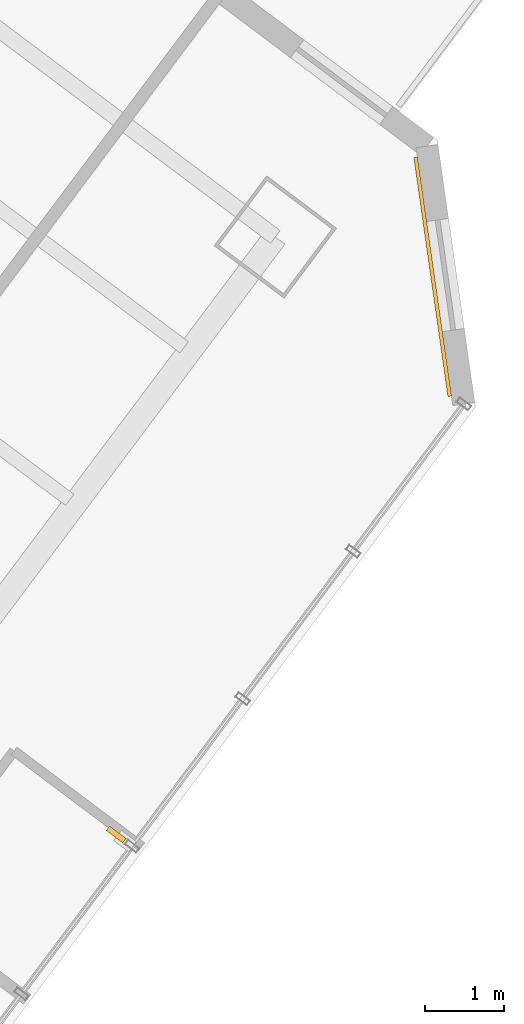
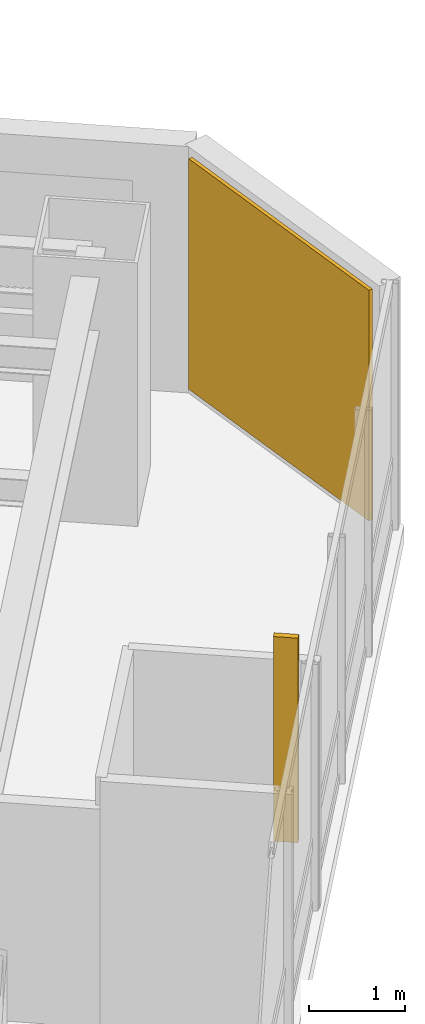
# One storey, part 38 of 38: 1 covering, 1 shading device.
"""IFC4 building model written with IfcOpenShell, lengths in metres."""

import ifcopenshell
import ifcopenshell.guid

model = None  # the IFC model being written
_history = None  # IfcOwnerHistory: only IFC2X3 demands one
_inside = {}  # id of a spatial element -> (the spatial element, [elements in it])
_under = {}  # id of a project, library or spatial element -> (it, [spatial elements below it])
_declared = {}  # id of a project -> (the project, [libraries it declares])
_typed = {}  # id of a type object -> (the type object, [elements of that type])
_made_of = {}  # id of a material, layer set ... -> (it, [elements and type objects made of it])


def new_model(schema):
    """Start an empty IFC model of exactly this schema.

    Asked for "IFC4X3", IfcOpenShell would pick the latest addendum, in which some entities
    have other attributes; the version numbers below select the first issue.
    IFC2X3 requires an IfcOwnerHistory on every rooted entity: one is made here for all.
    """
    global model, _history
    if schema == "IFC4X3":
        model = ifcopenshell.file(schema_version=(4, 3, 0, 0))
    else:
        model = ifcopenshell.file(schema=schema)
    _inside.clear()
    _under.clear()
    _declared.clear()
    _typed.clear()
    _made_of.clear()
    _history = None
    if model.schema == "IFC2X3":
        org = make("IfcOrganization", Name="unknown")
        user = make(
            "IfcPersonAndOrganization",
            ThePerson=make("IfcPerson", FamilyName="unknown"),
            TheOrganization=org,
        )
        app = make(
            "IfcApplication",
            ApplicationDeveloper=org,
            Version="unknown",
            ApplicationFullName="unknown",
            ApplicationIdentifier="unknown",
        )
        _history = make(
            "IfcOwnerHistory",
            OwningUser=user,
            OwningApplication=app,
            ChangeAction="ADDED",
            CreationDate=0,
        )
    return model


def make(cls, **values):
    """One entity of the class cls with the attributes given. An attribute that is None is left unset."""
    return model.create_entity(
        cls, **{name: value for name, value in values.items() if value is not None}
    )


def rooted(cls, **values):
    """An entity with a GlobalId (a new one), such as an element, a storey or a relation."""
    return make(cls, GlobalId=ifcopenshell.guid.new(), OwnerHistory=_history, **values)


def si_unit(unit_type, name, prefix=None):
    """IfcSIUnit, for example si_unit("LENGTHUNIT", "METRE", prefix="MILLI")."""
    return make("IfcSIUnit", UnitType=unit_type, Prefix=prefix, Name=name)


def assignment(units):
    """IfcUnitAssignment: the units of a project."""
    return None if units is None else make("IfcUnitAssignment", Units=units)


def point(xyz):
    """IfcCartesianPoint."""
    return None if xyz is None else make("IfcCartesianPoint", Coordinates=xyz)


def direction(xyz):
    """IfcDirection."""
    return None if xyz is None else make("IfcDirection", DirectionRatios=xyz)


def frame(location, z_axis=None, x_axis=None):
    """IfcAxis2Placement3D, a coordinate frame: its origin and axes. An axis left out is left unset."""
    return make(
        "IfcAxis2Placement3D",
        Location=point(location),
        Axis=direction(z_axis),
        RefDirection=direction(x_axis),
    )


def frame_2d(location, x_axis=None):
    """IfcAxis2Placement2D, a coordinate frame in the plane: its origin and x axis."""
    return make(
        "IfcAxis2Placement2D", Location=point(location), RefDirection=direction(x_axis)
    )


def origin():
    """The frame at (0, 0, 0) with its axes left unset."""
    return frame((0.0, 0.0, 0.0))


def origin_2d():
    """The frame at (0, 0) in the plane with its x axis left unset."""
    return frame_2d((0.0, 0.0))


def place(relative_to, where):
    """IfcLocalPlacement: puts the frame where relative to a parent placement (None: the world)."""
    return make(
        "IfcLocalPlacement", PlacementRelTo=relative_to, RelativePlacement=where
    )


def context(
    kind, dimensions, precision=None, world=None, true_north=None, identifier=None
):
    """IfcGeometricRepresentationContext, for example the 3D "Model" context."""
    return make(
        "IfcGeometricRepresentationContext",
        ContextIdentifier=identifier,
        ContextType=kind,
        CoordinateSpaceDimension=dimensions,
        Precision=precision,
        WorldCoordinateSystem=world,
        TrueNorth=true_north,
    )


def subcontext(parent, identifier, kind, view, scale=None):
    """IfcGeometricRepresentationSubContext, for example "Body" below "Model"."""
    return make(
        "IfcGeometricRepresentationSubContext",
        ContextIdentifier=identifier,
        ContextType=kind,
        ParentContext=parent,
        TargetScale=scale,
        TargetView=view,
    )


def project(units=None, contexts=None):
    """IfcProject with its units and contexts."""
    return rooted(
        "IfcProject",
        Name="project",
        RepresentationContexts=contexts,
        UnitsInContext=assignment(units),
    )


def spatial(cls, under=None, at=None, **own):
    """A site, building, storey or space (cls), placed at a placement, below another one or the project."""
    s = rooted(cls, ObjectPlacement=at, **own)
    if under is not None:
        _under.setdefault(under.id(), (under, []))[1].append(s)
    return s


def profile(cls, at=None, kind="AREA", **sizes):
    """A parametric profile (cls). Its sizes go by their IFC names, for example OverallWidth=200.0."""
    return make(cls, ProfileType=kind, Position=at, **sizes)


def rectangle(**sizes):
    """IfcRectangleProfileDef."""
    return profile("IfcRectangleProfileDef", **sizes)


def extrude(swept, where, along, depth):
    """IfcExtrudedAreaSolid: the profile swept, set in the frame where, extruded along a direction by depth."""
    return make(
        "IfcExtrudedAreaSolid",
        SweptArea=swept,
        Position=where,
        ExtrudedDirection=direction(along),
        Depth=depth,
    )


def shape(context_of_items, identifier, shape_type, items):
    """IfcShapeRepresentation: the items that make up one representation, for example the "Body"."""
    return make(
        "IfcShapeRepresentation",
        ContextOfItems=context_of_items,
        RepresentationIdentifier=identifier,
        RepresentationType=shape_type,
        Items=items,
    )


def material(Name=None, Category=None):
    """IfcMaterial."""
    return make("IfcMaterial", Name=Name, Category=Category)


def layer(
    of_material, thickness, ventilated=None, Name=None, Category=None, Priority=None
):
    """IfcMaterialLayer: one layer of a wall or slab, of a material (None: an air gap)."""
    return make(
        "IfcMaterialLayer",
        Material=of_material,
        LayerThickness=thickness,
        IsVentilated=ventilated,
        Name=Name,
        Category=Category,
        Priority=Priority,
    )


def layer_set(layers, Name=None):
    """IfcMaterialLayerSet."""
    return make("IfcMaterialLayerSet", MaterialLayers=layers, LayerSetName=Name)


def made_of(thing, what):
    """Note that an element or type object is made of a material, layer set ...; save() writes the relation."""
    if what is not None:
        _made_of.setdefault(what.id(), (what, []))[1].append(thing)
    return thing


def type_object(cls, material=None, **own):
    """A type object (cls), such as IfcWallType, which elements share."""
    return made_of(rooted(cls, **own), material)


def element(
    cls,
    number,
    at=None,
    inside=None,
    cuts=None,
    type_object=None,
    material=None,
    context=None,
    identifier="Body",
    shape_type=None,
    held_by="IfcProductDefinitionShape",
    body=None,
    shapes=None,
    **own,
):
    """One element of the class cls, such as IfcWall. Its Tag is "e" and its number.

    at: its placement. inside: the storey or other place that contains it. cuts: it is an
    opening in that element (IfcRelVoidsElement). A single representation is given by context,
    identifier, shape_type and body (its items); several are given by shapes. held_by: the class
    of the entity that holds the representations. save() writes the other relations.
    """
    e = rooted(cls, Tag="e%d" % number, ObjectPlacement=at, **own)
    if body is not None:
        shapes = [shape(context, identifier, shape_type, body)]
    if shapes is not None:
        e.Representation = make(held_by, Representations=shapes)
    if inside is not None:
        _inside.setdefault(inside.id(), (inside, []))[1].append(e)
    if cuts is not None:
        rooted(
            "IfcRelVoidsElement", RelatingBuildingElement=cuts, RelatedOpeningElement=e
        )
    if type_object is not None:
        _typed.setdefault(type_object.id(), (type_object, []))[1].append(e)
    return made_of(e, material)


def aggregate(whole, parts):
    """IfcRelAggregates: a whole, such as a stair, and the parts it consists of."""
    return rooted("IfcRelAggregates", RelatingObject=whole, RelatedObjects=parts)


def save(model, path):
    """Write the relations noted so far, then the file.

    IfcRelAggregates (storeys below a building ...), IfcRelContainedInSpatialStructure (elements
    in a storey), IfcRelDefinesByType, IfcRelAssociatesMaterial and IfcRelDeclares: one each for
    every whole, place, type object, material and project.
    """
    for whole, parts in _under.values():
        aggregate(whole, parts)
    for where, things in _inside.values():
        rooted(
            "IfcRelContainedInSpatialStructure",
            RelatedElements=things,
            RelatingStructure=where,
        )
    for kind, things in _typed.values():
        rooted("IfcRelDefinesByType", RelatedObjects=things, RelatingType=kind)
    for what, things in _made_of.values():
        rooted("IfcRelAssociatesMaterial", RelatedObjects=things, RelatingMaterial=what)
    for by, libraries in _declared.values():
        rooted("IfcRelDeclares", RelatingContext=by, RelatedDefinitions=libraries)
    model.write(path)


model = new_model("IFC4")

# Units and contexts
model_context = context("Model", 3, precision=1e-05, world=origin(), true_north=direction((0.0, 1.0)))
body_context = subcontext(model_context, "Body", "Model", "MODEL_VIEW")
ifc_project = project(units=[si_unit("LENGTHUNIT", "METRE"), si_unit("AREAUNIT", "SQUARE_METRE"), si_unit("VOLUMEUNIT", "CUBIC_METRE"), si_unit("PLANEANGLEUNIT", "RADIAN"), si_unit("MASSUNIT", "GRAM", prefix="KILO")], contexts=[model_context])

# Site, building, storey
site_placement = place(None, origin())
site = spatial("IfcSite", under=ifc_project, at=site_placement, CompositionType="ELEMENT")
building_placement = place(site_placement, origin())
building = spatial("IfcBuilding", under=site, at=building_placement, Name="Hatsunagi Terrace Concourse", CompositionType="ELEMENT")
storey_placement = place(building_placement, frame((0.0, 0.0, 60.050048828125)))
storey = spatial("IfcBuildingStorey", under=building, at=storey_placement, Name="L15", CompositionType="ELEMENT", Elevation=60.050048828125)

# Shading device
ifc_material_1 = material(Name="Extruded Unglazed Terracotta Baguette", Category="masonry")
shading_device_type = type_object("IfcShadingDeviceType", Name="TerracottaFinScreen_260x70", PredefinedType="USERDEFINED", material=ifc_material_1)
shading_device_placement = place(storey_placement, frame((64.716064453125, 14.239013671875, 0.849853515625), z_axis=(0.0, 0.0, 1.0), x_axis=(-0.599969314634, -0.800023013105, 0.0)))
element("IfcShadingDevice", 1, at=shading_device_placement, inside=storey, type_object=shading_device_type, Name="Terracotta Baguette Fin Screen SCR-01", ObjectType="SUNSHADE", PredefinedType="USERDEFINED", context=body_context, shape_type="SweptSolid", body=[
    extrude(rectangle(XDim=0.070068359375, YDim=0.260009765625, at=origin_2d()), origin(), (0.0, 0.0, 1.0), 2.60009765625),
])

# Covering
ifc_material_2 = material(Name="Unglazed Warm Terracotta Rainscreen Tile", Category="masonry")
ifc_layer = layer(ifc_material_2, 0.044921875)
ifc_layer_set = layer_set([ifc_layer], Name="TerracottaRainscreenCladding_45")
covering_type = type_object("IfcCoveringType", Name="TerracottaRainscreenCladding_45", PredefinedType="CLADDING", material=ifc_layer_set)
covering_placement = place(storey_placement, frame((68.700927734375, 21.258056640625, 0.10009765625), z_axis=(0.0, 0.0, 1.0), x_axis=(0.141250262458, -0.989973920543, 0.0)))
element("IfcCovering", 2, at=covering_placement, inside=storey, type_object=covering_type, Name="Terracotta Rainscreen Cladding L15-02", PredefinedType="CLADDING", context=body_context, shape_type="SweptSolid", body=[
    extrude(rectangle(XDim=3.0380859375, YDim=0.044921875, at=origin_2d()), origin(), (0.0, 0.0, 1.0), 2.929931640625),
])

save(model, "model.ifc")
